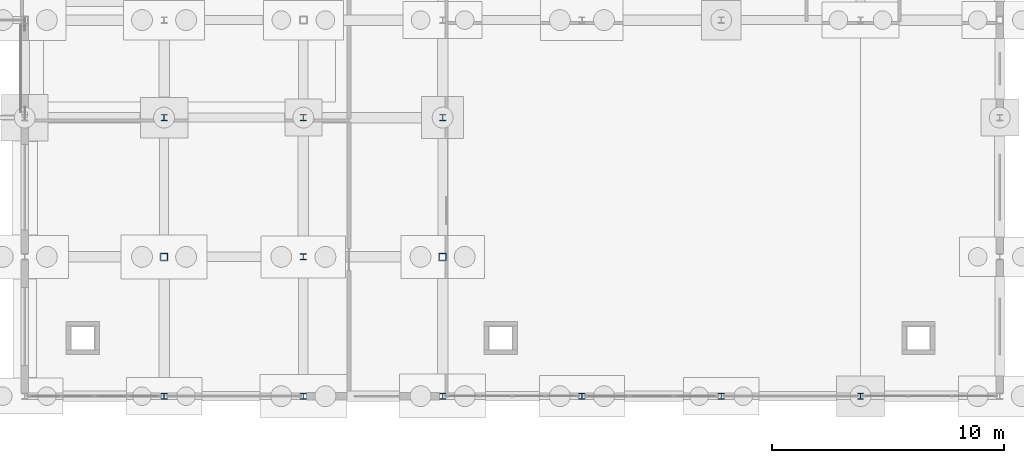
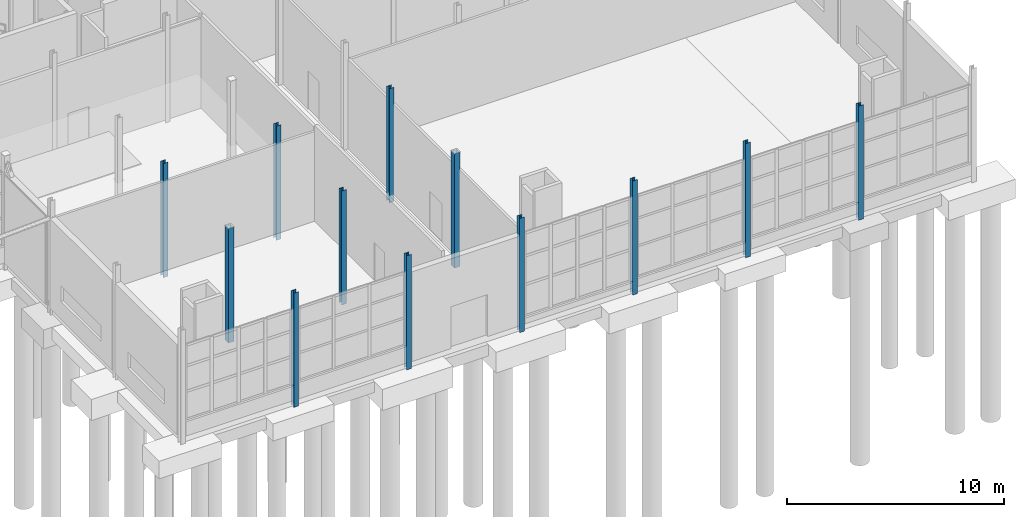
# One storey, part 24 of 120: 12 columns.
"""IFC4 building model written with IfcOpenShell, lengths in metres."""

import ifcopenshell
import ifcopenshell.guid

model = None  # the IFC model being written
_history = None  # IfcOwnerHistory: only IFC2X3 demands one
_inside = {}  # id of a spatial element -> (the spatial element, [elements in it])
_under = {}  # id of a project, library or spatial element -> (it, [spatial elements below it])
_declared = {}  # id of a project -> (the project, [libraries it declares])
_typed = {}  # id of a type object -> (the type object, [elements of that type])
_made_of = {}  # id of a material, layer set ... -> (it, [elements and type objects made of it])


def new_model(schema):
    """Start an empty IFC model of exactly this schema.

    Asked for "IFC4X3", IfcOpenShell would pick the latest addendum, in which some entities
    have other attributes; the version numbers below select the first issue.
    IFC2X3 requires an IfcOwnerHistory on every rooted entity: one is made here for all.
    """
    global model, _history
    if schema == "IFC4X3":
        model = ifcopenshell.file(schema_version=(4, 3, 0, 0))
    else:
        model = ifcopenshell.file(schema=schema)
    _inside.clear()
    _under.clear()
    _declared.clear()
    _typed.clear()
    _made_of.clear()
    _history = None
    if model.schema == "IFC2X3":
        org = make("IfcOrganization", Name="unknown")
        user = make(
            "IfcPersonAndOrganization",
            ThePerson=make("IfcPerson", FamilyName="unknown"),
            TheOrganization=org,
        )
        app = make(
            "IfcApplication",
            ApplicationDeveloper=org,
            Version="unknown",
            ApplicationFullName="unknown",
            ApplicationIdentifier="unknown",
        )
        _history = make(
            "IfcOwnerHistory",
            OwningUser=user,
            OwningApplication=app,
            ChangeAction="ADDED",
            CreationDate=0,
        )
    return model


def make(cls, **values):
    """One entity of the class cls with the attributes given. An attribute that is None is left unset."""
    return model.create_entity(
        cls, **{name: value for name, value in values.items() if value is not None}
    )


def rooted(cls, **values):
    """An entity with a GlobalId (a new one), such as an element, a storey or a relation."""
    return make(cls, GlobalId=ifcopenshell.guid.new(), OwnerHistory=_history, **values)


def si_unit(unit_type, name, prefix=None):
    """IfcSIUnit, for example si_unit("LENGTHUNIT", "METRE", prefix="MILLI")."""
    return make("IfcSIUnit", UnitType=unit_type, Prefix=prefix, Name=name)


def assignment(units):
    """IfcUnitAssignment: the units of a project."""
    return None if units is None else make("IfcUnitAssignment", Units=units)


def point(xyz):
    """IfcCartesianPoint."""
    return None if xyz is None else make("IfcCartesianPoint", Coordinates=xyz)


def direction(xyz):
    """IfcDirection."""
    return None if xyz is None else make("IfcDirection", DirectionRatios=xyz)


def frame(location, z_axis=None, x_axis=None):
    """IfcAxis2Placement3D, a coordinate frame: its origin and axes. An axis left out is left unset."""
    return make(
        "IfcAxis2Placement3D",
        Location=point(location),
        Axis=direction(z_axis),
        RefDirection=direction(x_axis),
    )


def frame_2d(location, x_axis=None):
    """IfcAxis2Placement2D, a coordinate frame in the plane: its origin and x axis."""
    return make(
        "IfcAxis2Placement2D", Location=point(location), RefDirection=direction(x_axis)
    )


def origin():
    """The frame at (0, 0, 0) with its axes left unset."""
    return frame((0.0, 0.0, 0.0))


def origin_2d():
    """The frame at (0, 0) in the plane with its x axis left unset."""
    return frame_2d((0.0, 0.0))


def place(relative_to, where):
    """IfcLocalPlacement: puts the frame where relative to a parent placement (None: the world)."""
    return make(
        "IfcLocalPlacement", PlacementRelTo=relative_to, RelativePlacement=where
    )


def context(
    kind, dimensions, precision=None, world=None, true_north=None, identifier=None
):
    """IfcGeometricRepresentationContext, for example the 3D "Model" context."""
    return make(
        "IfcGeometricRepresentationContext",
        ContextIdentifier=identifier,
        ContextType=kind,
        CoordinateSpaceDimension=dimensions,
        Precision=precision,
        WorldCoordinateSystem=world,
        TrueNorth=true_north,
    )


def subcontext(parent, identifier, kind, view, scale=None):
    """IfcGeometricRepresentationSubContext, for example "Body" below "Model"."""
    return make(
        "IfcGeometricRepresentationSubContext",
        ContextIdentifier=identifier,
        ContextType=kind,
        ParentContext=parent,
        TargetScale=scale,
        TargetView=view,
    )


def project(units=None, contexts=None):
    """IfcProject with its units and contexts."""
    return rooted(
        "IfcProject",
        Name="project",
        RepresentationContexts=contexts,
        UnitsInContext=assignment(units),
    )


def spatial(cls, under=None, at=None, **own):
    """A site, building, storey or space (cls), placed at a placement, below another one or the project."""
    s = rooted(cls, ObjectPlacement=at, **own)
    if under is not None:
        _under.setdefault(under.id(), (under, []))[1].append(s)
    return s


def profile(cls, at=None, kind="AREA", **sizes):
    """A parametric profile (cls). Its sizes go by their IFC names, for example OverallWidth=200.0."""
    return make(cls, ProfileType=kind, Position=at, **sizes)


def hollow_rectangle(**sizes):
    """IfcRectangleHollowProfileDef."""
    return profile("IfcRectangleHollowProfileDef", **sizes)


def i_section(**sizes):
    """IfcIShapeProfileDef."""
    return profile("IfcIShapeProfileDef", **sizes)


def extrude(swept, where, along, depth):
    """IfcExtrudedAreaSolid: the profile swept, set in the frame where, extruded along a direction by depth."""
    return make(
        "IfcExtrudedAreaSolid",
        SweptArea=swept,
        Position=where,
        ExtrudedDirection=direction(along),
        Depth=depth,
    )


def shape(context_of_items, identifier, shape_type, items):
    """IfcShapeRepresentation: the items that make up one representation, for example the "Body"."""
    return make(
        "IfcShapeRepresentation",
        ContextOfItems=context_of_items,
        RepresentationIdentifier=identifier,
        RepresentationType=shape_type,
        Items=items,
    )


def material(Name=None, Category=None):
    """IfcMaterial."""
    return make("IfcMaterial", Name=Name, Category=Category)


def material_profile(
    of_material, cross_section, Name=None, Category=None, Priority=None
):
    """IfcMaterialProfile: a cross section and its material."""
    return make(
        "IfcMaterialProfile",
        Name=Name,
        Material=of_material,
        Profile=cross_section,
        Priority=Priority,
        Category=Category,
    )


def profile_set(profiles, Name=None, composite=None):
    """IfcMaterialProfileSet."""
    return make(
        "IfcMaterialProfileSet",
        Name=Name,
        MaterialProfiles=profiles,
        CompositeProfile=composite,
    )


def made_of(thing, what):
    """Note that an element or type object is made of a material, layer set ...; save() writes the relation."""
    if what is not None:
        _made_of.setdefault(what.id(), (what, []))[1].append(thing)
    return thing


def type_object(cls, material=None, **own):
    """A type object (cls), such as IfcWallType, which elements share."""
    return made_of(rooted(cls, **own), material)


def element(
    cls,
    number,
    at=None,
    inside=None,
    cuts=None,
    type_object=None,
    material=None,
    context=None,
    identifier="Body",
    shape_type=None,
    held_by="IfcProductDefinitionShape",
    body=None,
    shapes=None,
    **own,
):
    """One element of the class cls, such as IfcWall. Its Tag is "e" and its number.

    at: its placement. inside: the storey or other place that contains it. cuts: it is an
    opening in that element (IfcRelVoidsElement). A single representation is given by context,
    identifier, shape_type and body (its items); several are given by shapes. held_by: the class
    of the entity that holds the representations. save() writes the other relations.
    """
    e = rooted(cls, Tag="e%d" % number, ObjectPlacement=at, **own)
    if body is not None:
        shapes = [shape(context, identifier, shape_type, body)]
    if shapes is not None:
        e.Representation = make(held_by, Representations=shapes)
    if inside is not None:
        _inside.setdefault(inside.id(), (inside, []))[1].append(e)
    if cuts is not None:
        rooted(
            "IfcRelVoidsElement", RelatingBuildingElement=cuts, RelatedOpeningElement=e
        )
    if type_object is not None:
        _typed.setdefault(type_object.id(), (type_object, []))[1].append(e)
    return made_of(e, material)


def aggregate(whole, parts):
    """IfcRelAggregates: a whole, such as a stair, and the parts it consists of."""
    return rooted("IfcRelAggregates", RelatingObject=whole, RelatedObjects=parts)


def save(model, path):
    """Write the relations noted so far, then the file.

    IfcRelAggregates (storeys below a building ...), IfcRelContainedInSpatialStructure (elements
    in a storey), IfcRelDefinesByType, IfcRelAssociatesMaterial and IfcRelDeclares: one each for
    every whole, place, type object, material and project.
    """
    for whole, parts in _under.values():
        aggregate(whole, parts)
    for where, things in _inside.values():
        rooted(
            "IfcRelContainedInSpatialStructure",
            RelatedElements=things,
            RelatingStructure=where,
        )
    for kind, things in _typed.values():
        rooted("IfcRelDefinesByType", RelatedObjects=things, RelatingType=kind)
    for what, things in _made_of.values():
        rooted("IfcRelAssociatesMaterial", RelatedObjects=things, RelatingMaterial=what)
    for by, libraries in _declared.values():
        rooted("IfcRelDeclares", RelatingContext=by, RelatedDefinitions=libraries)
    model.write(path)


model = new_model("IFC4")

# Units and contexts
model_context = context("Model", 3, precision=1e-05, world=origin(), true_north=direction((0.0, 1.0)))
body_context = subcontext(model_context, "Body", "Model", "MODEL_VIEW")
ifc_project = project(units=[si_unit("LENGTHUNIT", "METRE"), si_unit("AREAUNIT", "SQUARE_METRE"), si_unit("VOLUMEUNIT", "CUBIC_METRE"), si_unit("PLANEANGLEUNIT", "RADIAN"), si_unit("MASSUNIT", "GRAM", prefix="KILO")], contexts=[model_context])

# Site, building, storey
site_placement = place(None, origin())
site = spatial("IfcSite", under=ifc_project, at=site_placement, CompositionType="ELEMENT")
building_placement = place(site_placement, origin())
building = spatial("IfcBuilding", under=site, at=building_placement, Name="Siltcreek Boulevard Central Fire Station", CompositionType="ELEMENT")
storey_placement = place(building_placement, origin())
storey = spatial("IfcBuildingStorey", under=building, at=storey_placement, Name="L01", CompositionType="ELEMENT", Elevation=0.0)

# Columns
ifc_material_1 = material(Name="Structural steel ASTM A500 GrC", Category="steel")
ifc_material_profile_1 = material_profile(ifc_material_1, hollow_rectangle(XDim=0.300048828125, YDim=0.300048828125, WallThickness=0.012451171875, at=origin_2d()), Name="HSS300X300X12.5")
ifc_profile_set_1 = profile_set([ifc_material_profile_1], Name="Structural steel ASTM A500 GrC")
column_type_1 = type_object("IfcColumnType", Name="COL_HSS300", PredefinedType="COLUMN", material=ifc_profile_set_1)
for number, where, z_axis, x_axis, name in (
    (1, (130.199951171875, 7.800048828125, -0.409912109375), (0.0, 0.0, 1.0), (1.0, 0.0, 0.0), "L01 structural column COLG-L01-1302-78"),
    (2, (142.199951171875, 7.800048828125, -0.409912109375), (0.0, 0.0, 1.0), (1.0, 0.0, 0.0), "L01 structural column COLG-L01-1422-78"),
):
    element("IfcColumn", number, at=place(storey_placement, frame(where, z_axis=z_axis, x_axis=x_axis)), inside=storey, type_object=column_type_1, Name=name, PredefinedType="COLUMN", context=body_context, shape_type="SweptSolid", body=[
        extrude(hollow_rectangle(XDim=0.300048828125, YDim=0.300048828125, WallThickness=0.012451171875, at=origin_2d()), origin(), (0.0, 0.0, 1.0), 6.409912109375),
    ])
ifc_material_2 = material(Name="Structural steel ASTM A992 Gr50", Category="steel")
ifc_material_profile_2 = material_profile(ifc_material_2, i_section(OverallWidth=0.25390625, OverallDepth=0.2529296875, WebThickness=0.008544921875, FlangeThickness=0.01416015625, at=origin_2d()), Name="W250X73")
ifc_profile_set_2 = profile_set([ifc_material_profile_2], Name="Structural steel ASTM A992 Gr50")
column_type_2 = type_object("IfcColumnType", Name="COL_W250X73", PredefinedType="COLUMN", material=ifc_profile_set_2)
for number, where, z_axis, x_axis, name in (
    (3, (130.199951171875, 1.800048828125, -0.409912109375), (0.0, 0.0, 1.0), (1.0, 0.0, 0.0), "L01 structural column COLG-L01-1302-18"),
    (4, (130.199951171875, 13.800048828125, -0.409912109375), (0.0, 0.0, 1.0), (1.0, 0.0, 0.0), "L01 structural column COLG-L01-1302-138"),
    (5, (136.199951171875, 1.800048828125, -0.409912109375), (0.0, 0.0, 1.0), (1.0, 0.0, 0.0), "L01 structural column COLG-L01-1362-18"),
    (6, (136.199951171875, 7.800048828125, -0.409912109375), (0.0, 0.0, 1.0), (1.0, 0.0, 0.0), "L01 structural column COLG-L01-1362-78"),
    (7, (136.199951171875, 13.800048828125, -0.409912109375), (0.0, 0.0, 1.0), (1.0, 0.0, 0.0), "L01 structural column COLG-L01-1362-138"),
    (8, (142.199951171875, 1.800048828125, -0.409912109375), (0.0, 0.0, 1.0), (1.0, 0.0, 0.0), "L01 structural column COLG-L01-1422-18"),
    (9, (142.199951171875, 13.800048828125, -0.409912109375), (0.0, 0.0, 1.0), (1.0, 0.0, 0.0), "L01 structural column COLG-L01-1422-138"),
    (10, (148.199951171875, 1.800048828125, -0.409912109375), (0.0, 0.0, 1.0), (1.0, 0.0, 0.0), "L01 structural column COLG-L01-1482-18"),
    (11, (154.199951171875, 1.800048828125, -0.409912109375), (0.0, 0.0, 1.0), (1.0, 0.0, 0.0), "L01 structural column COLG-L01-1542-18"),
    (12, (160.199951171875, 1.800048828125, -0.409912109375), (0.0, 0.0, 1.0), (1.0, 0.0, 0.0), "L01 structural column COLG-L01-1602-18"),
):
    element("IfcColumn", number, at=place(storey_placement, frame(where, z_axis=z_axis, x_axis=x_axis)), inside=storey, type_object=column_type_2, Name=name, PredefinedType="COLUMN", context=body_context, shape_type="SweptSolid", body=[
        extrude(i_section(OverallWidth=0.25390625, OverallDepth=0.2529296875, WebThickness=0.008544921875, FlangeThickness=0.01416015625, at=origin_2d()), origin(), (0.0, 0.0, 1.0), 6.409912109375),
    ])

save(model, "model.ifc")
